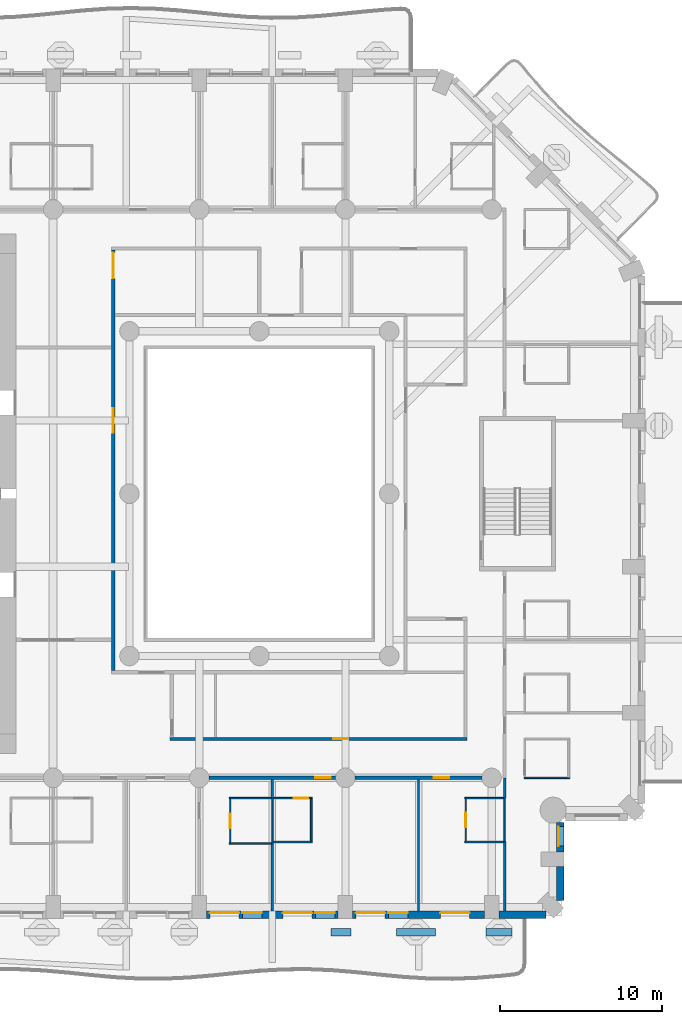
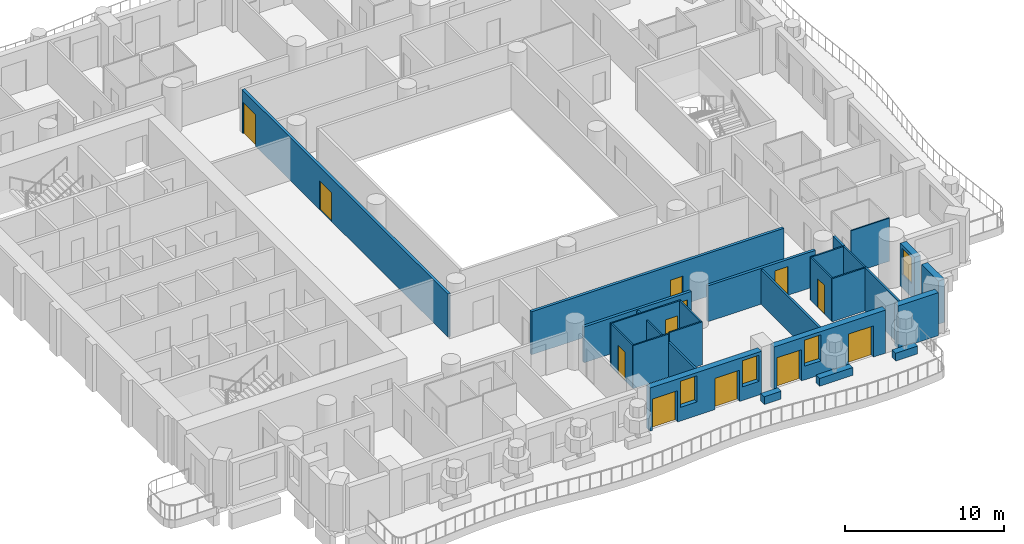
# One storey, part 5 of 20: 28 walls, 12 doors, 4 windows, 16 openings.
"""IFC4 building model written with IfcOpenShell, lengths in metres."""

from ifc_helpers import new_model, si_unit, direction, frame, frame_2d, origin, place, context, subcontext, project, spatial, rectangle, extrude, material, layer, layer_set, type_object, element, fill, save


model = new_model("IFC4")

# Units and contexts
model_context = context("Model", 3, precision=1e-05, world=origin(), true_north=direction((0.0, 1.0)))
body_context = subcontext(model_context, "Body", "Model", "MODEL_VIEW")
ifc_project = project(units=[si_unit("LENGTHUNIT", "METRE"), si_unit("AREAUNIT", "SQUARE_METRE"), si_unit("VOLUMEUNIT", "CUBIC_METRE"), si_unit("PLANEANGLEUNIT", "RADIAN"), si_unit("MASSUNIT", "GRAM", prefix="KILO")], contexts=[model_context])

# Site, building, storey
site_placement = place(None, origin())
site = spatial("IfcSite", under=ifc_project, at=site_placement, CompositionType="ELEMENT")
building_placement = place(site_placement, origin())
building = spatial("IfcBuilding", under=site, at=building_placement, Name="Cypress Arch Tower", CompositionType="ELEMENT")
storey_placement = place(building_placement, frame((0.0, 0.0, 77.10009765625)))
storey = spatial("IfcBuildingStorey", under=building, at=storey_placement, Name="L13", CompositionType="ELEMENT", Elevation=77.10009765625)

# Walls
ifc_material_1 = material(Name="Concrete C40/50, waterproofed", Category="concrete")
ifc_layer_1 = layer(ifc_material_1, 0.449951171875)
ifc_layer_set_1 = layer_set([ifc_layer_1], Name="Balcony planter wall PW450")
wall_type_1 = type_object("IfcWallType", Name="Balcony planter wall PW450", PredefinedType="SOLIDWALL", material=ifc_layer_set_1)
wall_1_placement = place(storey_placement, frame((5.419921875, -27.0, 0.0), z_axis=(0.0, 0.0, 1.0), x_axis=(1.0, 0.0, 0.0)))
element("IfcWall", 1, at=wall_1_placement, inside=storey, type_object=wall_type_1, Name="Balcony planter wall L13-A03.5", PredefinedType="SOLIDWALL", context=body_context, shape_type="SweptSolid", body=[
    extrude(rectangle(XDim=1.22998046875, YDim=0.449951171875, at=frame_2d((0.614990234375, 0.0))), origin(), (0.0, 0.0, 1.0), 0.599853515625),
])
wall_2_placement = place(storey_placement, frame((9.429931640625, -27.0, 0.0), z_axis=(0.0, 0.0, 1.0), x_axis=(1.0, 0.0, 0.0)))
element("IfcWall", 2, at=wall_2_placement, inside=storey, type_object=wall_type_1, Name="Balcony planter wall L13-A03.6", PredefinedType="SOLIDWALL", context=body_context, shape_type="SweptSolid", body=[
    extrude(rectangle(XDim=2.420166015625, YDim=0.449951171875, at=frame_2d((1.2099609375, 0.0))), origin(), (0.0, 0.0, 1.0), 0.599853515625),
])
wall_3_placement = place(storey_placement, frame((14.949951171875, -27.0, 0.0), z_axis=(0.0, 0.0, 1.0), x_axis=(1.0, 0.0, 0.0)))
element("IfcWall", 3, at=wall_3_placement, inside=storey, type_object=wall_type_1, Name="Balcony planter wall L13-A03.7", PredefinedType="SOLIDWALL", context=body_context, shape_type="SweptSolid", body=[
    extrude(rectangle(XDim=1.60009765625, YDim=0.449951171875, at=frame_2d((0.800048828125, 0.0))), origin(), (0.0, 0.0, 1.0), 0.599853515625),
])

# Wall, openings, doors, windows
ifc_material_2 = material(Name="Brick (red buff blend)", Category="masonry")
ifc_layer_2 = layer(ifc_material_2, 0.449951171875)
ifc_layer_set_2 = layer_set([ifc_layer_2], Name="Brick pier and spandrel wall BW450")
wall_type_2 = type_object("IfcWallType", Name="Brick pier and spandrel wall BW450", PredefinedType="SOLIDWALL", material=ifc_layer_set_2)
wall_4_placement = place(storey_placement, frame((-2.25, -25.925048828125, 0.0), z_axis=(0.0, 0.0, 1.0), x_axis=(1.0, 0.0, 0.0)))
wall_4 = element("IfcWall", 4, at=wall_4_placement, inside=storey, type_object=wall_type_2, Name="Brick wall L13 A03.3", PredefinedType="SOLIDWALL", context=body_context, shape_type="SweptSolid", body=[
    extrude(rectangle(XDim=8.10009765625, YDim=0.449951171875, at=frame_2d((4.050048828125, 0.0))), origin(), (0.0, 0.0, 1.0), 3.2998046875),
])
opening_1_placement = place(wall_4_placement, frame((0.199951171875, 0.0, 0.0)))
opening_1 = element("IfcOpeningElement", 5, at=opening_1_placement, cuts=wall_4, Name="Opening D-L13-A03.3.1", PredefinedType="OPENING", context=body_context, shape_type="SweptSolid", body=[
    extrude(rectangle(XDim=1.800048828125, YDim=2.39990234375, at=frame_2d((0.89990234375, 1.199951171875))), frame((0.0, 0.23486328125, 0.0), z_axis=(0.0, -1.0, 0.0), x_axis=(1.0, 0.0, 0.0)), (0.0, 0.0, 1.0), 0.469970703125),
])
opening_2_placement = place(wall_4_placement, frame((2.199951171875, 0.0, 1.050048828125)))
opening_2 = element("IfcOpeningElement", 6, at=opening_2_placement, cuts=wall_4, Name="Opening W120HD", PredefinedType="OPENING", context=body_context, shape_type="SweptSolid", body=[
    extrude(rectangle(XDim=1.199951171875, YDim=2.0, at=frame_2d((0.60009765625, 1.0))), frame((0.0, 0.23486328125, 0.0), z_axis=(0.0, -1.0, 0.0), x_axis=(1.0, 0.0, 0.0)), (0.0, 0.0, 1.0), 0.469970703125),
])
opening_3_placement = place(wall_4_placement, frame((4.699951171875, 0.0, 0.0)))
opening_3 = element("IfcOpeningElement", 7, at=opening_3_placement, cuts=wall_4, Name="Opening D-L13-A03.3.2", PredefinedType="OPENING", context=body_context, shape_type="SweptSolid", body=[
    extrude(rectangle(XDim=1.800048828125, YDim=2.39990234375, at=frame_2d((0.89990234375, 1.199951171875))), frame((0.0, 0.23486328125, 0.0), z_axis=(0.0, -1.0, 0.0), x_axis=(1.0, 0.0, 0.0)), (0.0, 0.0, 1.0), 0.469970703125),
])
opening_4_placement = place(wall_4_placement, frame((6.699951171875, 0.0, 1.050048828125)))
opening_4 = element("IfcOpeningElement", 8, at=opening_4_placement, cuts=wall_4, Name="Opening W120HD", PredefinedType="OPENING", context=body_context, shape_type="SweptSolid", body=[
    extrude(rectangle(XDim=1.199951171875, YDim=2.0, at=frame_2d((0.60009765625, 1.0))), frame((0.0, 0.23486328125, 0.0), z_axis=(0.0, -1.0, 0.0), x_axis=(1.0, 0.0, 0.0)), (0.0, 0.0, 1.0), 0.469970703125),
])
ifc_material_3 = material(Name="Anodised aluminium, bronze finish, laminated low-emissivity double glazing, large-missile impact rated", Category="aluminium")
door_type_1 = type_object("IfcDoorType", Name="Balcony sliding door 1800x2400", OperationType="SLIDING_TO_LEFT", PredefinedType="DOOR", material=ifc_material_3)
door_1_placement = place(opening_1_placement, origin())
door_1 = element("IfcDoor", 9, at=door_1_placement, inside=storey, type_object=door_type_1, Name="Balcony door L13 A03.3.1", OperationType="SLIDING_TO_LEFT", OverallHeight=2.39990234375, OverallWidth=1.800048828125, PredefinedType="DOOR", context=body_context, shape_type="SweptSolid", body=[
    extrude(rectangle(XDim=1.800048828125, YDim=2.39990234375, at=frame_2d((0.89990234375, 1.199951171875))), frame((0.0, 0.1298828125, 0.0), z_axis=(0.0, -1.0, 0.0), x_axis=(1.0, 0.0, 0.0)), (0.0, 0.0, 1.0), 0.050048828125),
])
fill(opening_1, door_1)
door_2_placement = place(opening_3_placement, origin())
door_2 = element("IfcDoor", 10, at=door_2_placement, inside=storey, type_object=door_type_1, Name="Balcony door L13 A03.3.2", OperationType="SLIDING_TO_LEFT", OverallHeight=2.39990234375, OverallWidth=1.800048828125, PredefinedType="DOOR", context=body_context, shape_type="SweptSolid", body=[
    extrude(rectangle(XDim=1.800048828125, YDim=2.39990234375, at=frame_2d((0.89990234375, 1.199951171875))), frame((0.0, 0.1298828125, 0.0), z_axis=(0.0, -1.0, 0.0), x_axis=(1.0, 0.0, 0.0)), (0.0, 0.0, 1.0), 0.050048828125),
])
fill(opening_3, door_2)
ifc_material_4 = material(Name="Anodised aluminium, bronze finish, laminated low-emissivity double glazing, large-missile impact rated", Category="aluminium")
window_type_1 = type_object("IfcWindowType", Name="Window Hotel 1200x2000 debris-rated", PartitioningType="SINGLE_PANEL", PredefinedType="WINDOW", material=ifc_material_4)
window_1_placement = place(opening_2_placement, origin())
window_1 = element("IfcWindow", 11, at=window_1_placement, inside=storey, type_object=window_type_1, Name="Window L13 A03.3.1", OverallHeight=2.0, OverallWidth=1.199951171875, PartitioningType="SINGLE_PANEL", PredefinedType="WINDOW", context=body_context, shape_type="SweptSolid", body=[
    extrude(rectangle(XDim=1.199951171875, YDim=2.0, at=frame_2d((0.60009765625, 1.0))), frame((0.0, 0.135009765625, 0.0), z_axis=(0.0, -1.0, 0.0), x_axis=(1.0, 0.0, 0.0)), (0.0, 0.0, 1.0), 0.06005859375),
])
fill(opening_2, window_1)
window_2_placement = place(opening_4_placement, origin())
window_2 = element("IfcWindow", 12, at=window_2_placement, inside=storey, type_object=window_type_1, Name="Window L13 A03.3.2", OverallHeight=2.0, OverallWidth=1.199951171875, PartitioningType="SINGLE_PANEL", PredefinedType="WINDOW", context=body_context, shape_type="SweptSolid", body=[
    extrude(rectangle(XDim=1.199951171875, YDim=2.0, at=frame_2d((0.60009765625, 1.0))), frame((0.0, 0.135009765625, 0.0), z_axis=(0.0, -1.0, 0.0), x_axis=(1.0, 0.0, 0.0)), (0.0, 0.0, 1.0), 0.06005859375),
])
fill(opening_4, window_2)

# Wall, openings, doors, window
wall_5_placement = place(storey_placement, frame((6.75, -25.925048828125, 0.0), z_axis=(0.0, 0.0, 1.0), x_axis=(1.0, 0.0, 0.0)))
wall_5 = element("IfcWall", 13, at=wall_5_placement, inside=storey, type_object=wall_type_2, Name="Brick wall L13 A03.4", PredefinedType="SOLIDWALL", context=body_context, shape_type="SweptSolid", body=[
    extrude(rectangle(XDim=8.10009765625, YDim=0.449951171875, at=frame_2d((4.050048828125, 0.0))), origin(), (0.0, 0.0, 1.0), 3.2998046875),
])
opening_5_placement = place(wall_5_placement, frame((0.199951171875, 0.0, 0.0)))
opening_5 = element("IfcOpeningElement", 14, at=opening_5_placement, cuts=wall_5, Name="Opening D-L13-A03.4.1", PredefinedType="OPENING", context=body_context, shape_type="SweptSolid", body=[
    extrude(rectangle(XDim=1.800048828125, YDim=2.39990234375, at=frame_2d((0.89990234375, 1.199951171875))), frame((0.0, 0.23486328125, 0.0), z_axis=(0.0, -1.0, 0.0), x_axis=(1.0, 0.0, 0.0)), (0.0, 0.0, 1.0), 0.469970703125),
])
opening_6_placement = place(wall_5_placement, frame((2.199951171875, 0.0, 1.050048828125)))
opening_6 = element("IfcOpeningElement", 15, at=opening_6_placement, cuts=wall_5, Name="Opening W120HD", PredefinedType="OPENING", context=body_context, shape_type="SweptSolid", body=[
    extrude(rectangle(XDim=1.199951171875, YDim=2.0, at=frame_2d((0.60009765625, 1.0))), frame((0.0, 0.23486328125, 0.0), z_axis=(0.0, -1.0, 0.0), x_axis=(1.0, 0.0, 0.0)), (0.0, 0.0, 1.0), 0.469970703125),
])
opening_7_placement = place(wall_5_placement, frame((5.39990234375, 0.0, 0.0)))
opening_7 = element("IfcOpeningElement", 16, at=opening_7_placement, cuts=wall_5, Name="Opening D-L13-A03.4.2", PredefinedType="OPENING", context=body_context, shape_type="SweptSolid", body=[
    extrude(rectangle(XDim=1.800048828125, YDim=2.39990234375, at=frame_2d((0.89990234375, 1.199951171875))), frame((0.0, 0.23486328125, 0.0), z_axis=(0.0, -1.0, 0.0), x_axis=(1.0, 0.0, 0.0)), (0.0, 0.0, 1.0), 0.469970703125),
])
door_3_placement = place(opening_5_placement, origin())
door_3 = element("IfcDoor", 17, at=door_3_placement, inside=storey, type_object=door_type_1, Name="Balcony door L13 A03.4.1", OperationType="SLIDING_TO_LEFT", OverallHeight=2.39990234375, OverallWidth=1.800048828125, PredefinedType="DOOR", context=body_context, shape_type="SweptSolid", body=[
    extrude(rectangle(XDim=1.800048828125, YDim=2.39990234375, at=frame_2d((0.89990234375, 1.199951171875))), frame((0.0, 0.1298828125, 0.0), z_axis=(0.0, -1.0, 0.0), x_axis=(1.0, 0.0, 0.0)), (0.0, 0.0, 1.0), 0.050048828125),
])
fill(opening_5, door_3)
door_4_placement = place(opening_7_placement, origin())
door_4 = element("IfcDoor", 18, at=door_4_placement, inside=storey, type_object=door_type_1, Name="Balcony door L13 A03.4.2", OperationType="SLIDING_TO_LEFT", OverallHeight=2.39990234375, OverallWidth=1.800048828125, PredefinedType="DOOR", context=body_context, shape_type="SweptSolid", body=[
    extrude(rectangle(XDim=1.800048828125, YDim=2.39990234375, at=frame_2d((0.89990234375, 1.199951171875))), frame((0.0, 0.1298828125, 0.0), z_axis=(0.0, -1.0, 0.0), x_axis=(1.0, 0.0, 0.0)), (0.0, 0.0, 1.0), 0.050048828125),
])
fill(opening_7, door_4)
window_3_placement = place(opening_6_placement, origin())
window_3 = element("IfcWindow", 19, at=window_3_placement, inside=storey, type_object=window_type_1, Name="Window L13 A03.4.1", OverallHeight=2.0, OverallWidth=1.199951171875, PartitioningType="SINGLE_PANEL", PredefinedType="WINDOW", context=body_context, shape_type="SweptSolid", body=[
    extrude(rectangle(XDim=1.199951171875, YDim=2.0, at=frame_2d((0.60009765625, 1.0))), frame((0.0, 0.135009765625, 0.0), z_axis=(0.0, -1.0, 0.0), x_axis=(1.0, 0.0, 0.0)), (0.0, 0.0, 1.0), 0.06005859375),
])
fill(opening_6, window_3)

# Walls
wall_6_placement = place(storey_placement, frame((15.75, -25.925048828125, 0.0), z_axis=(0.0, 0.0, 1.0), x_axis=(1.0, 0.0, 0.0)))
element("IfcWall", 20, at=wall_6_placement, inside=storey, type_object=wall_type_2, Name="Brick wall L13 A03.5", PredefinedType="SOLIDWALL", context=body_context, shape_type="SweptSolid", body=[
    extrude(rectangle(XDim=2.91357421875, YDim=0.449951171875, at=frame_2d((1.456787109375, 0.0))), origin(), (0.0, 0.0, 1.0), 3.2998046875),
])
wall_7_placement = place(storey_placement, frame((19.52490234375, -25.063720703125, 0.0), z_axis=(0.0, 0.0, 1.0), x_axis=(0.0, 1.0, 0.0)))
element("IfcWall", 21, at=wall_7_placement, inside=storey, type_object=wall_type_2, Name="Brick wall L13 A04.0", PredefinedType="SOLIDWALL", context=body_context, shape_type="SweptSolid", body=[
    extrude(rectangle(XDim=2.11376953125, YDim=0.449951171875, at=frame_2d((1.056884765625, 0.0))), origin(), (0.0, 0.0, 1.0), 3.2998046875),
])

# Wall, opening, window
wall_8_placement = place(storey_placement, frame((19.52490234375, -22.050048828125, 0.0), z_axis=(0.0, 0.0, 1.0), x_axis=(0.0, 1.0, 0.0)))
wall_8 = element("IfcWall", 22, at=wall_8_placement, inside=storey, type_object=wall_type_2, Name="Brick wall L13 A04.1", PredefinedType="SOLIDWALL", context=body_context, shape_type="SweptSolid", body=[
    extrude(rectangle(XDim=1.79150390625, YDim=0.449951171875, at=frame_2d((0.895751953125, 0.0))), origin(), (0.0, 0.0, 1.0), 3.2998046875),
])
opening_8_placement = place(wall_8_placement, frame((0.35009765625, 0.0, 1.050048828125)))
opening_8 = element("IfcOpeningElement", 23, at=opening_8_placement, cuts=wall_8, Name="Opening W120H", PredefinedType="OPENING", context=body_context, shape_type="SweptSolid", body=[
    extrude(rectangle(XDim=1.199951171875, YDim=2.0, at=frame_2d((0.60009765625, 1.0))), frame((0.0, 0.23486328125, 0.0), z_axis=(0.0, -1.0, 0.0), x_axis=(1.0, 0.0, 0.0)), (0.0, 0.0, 1.0), 0.469970703125),
])
ifc_material_5 = material(Name="Anodised aluminium, bronze finish, clear low-emissivity double glazing", Category="aluminium")
window_type_2 = type_object("IfcWindowType", Name="Window Hotel 1200x2000", PartitioningType="SINGLE_PANEL", PredefinedType="WINDOW", material=ifc_material_5)
window_4_placement = place(opening_8_placement, origin())
window_4 = element("IfcWindow", 24, at=window_4_placement, inside=storey, type_object=window_type_2, Name="Window L13 A04.1.1", OverallHeight=2.0, OverallWidth=1.199951171875, PartitioningType="SINGLE_PANEL", PredefinedType="WINDOW", context=body_context, shape_type="SweptSolid", body=[
    extrude(rectangle(XDim=1.199951171875, YDim=2.0, at=frame_2d((0.60009765625, 1.0))), frame((0.0, 0.135009765625, 0.0), z_axis=(0.0, -1.0, 0.0), x_axis=(1.0, 0.0, 0.0)), (0.0, 0.0, 1.0), 0.06005859375),
])
fill(opening_8, window_4)

# Wall, opening, door
ifc_material_6 = material(Name="Concrete blockwork, plastered, rated", Category="masonry")
ifc_layer_3 = layer(ifc_material_6, 0.199951171875)
ifc_layer_set_3 = layer_set([ifc_layer_3], Name="Corridor wall FW200")
wall_type_3 = type_object("IfcWallType", Name="Corridor wall FW200", PredefinedType="PARTITIONING", material=ifc_layer_set_3)
wall_9_placement = place(storey_placement, frame((-2.10009765625, -17.5, 0.0), z_axis=(0.0, 0.0, 1.0), x_axis=(1.0, 0.0, 0.0)))
wall_9 = element("IfcWall", 25, at=wall_9_placement, inside=storey, type_object=wall_type_3, Name="Corridor wall", PredefinedType="PARTITIONING", context=body_context, shape_type="SweptSolid", body=[
    extrude(rectangle(XDim=7.800048828125, YDim=0.199951171875, at=frame_2d((3.89990234375, 0.0))), origin(), (0.0, 0.0, 1.0), 2.75),
])
opening_9_placement = place(wall_9_placement, frame((6.550048828125, 0.0, 0.0)))
opening_9 = element("IfcOpeningElement", 26, at=opening_9_placement, cuts=wall_9, Name="Opening D02", PredefinedType="OPENING", context=body_context, shape_type="SweptSolid", body=[
    extrude(rectangle(XDim=0.949951171875, YDim=2.199951171875, at=frame_2d((0.47509765625, 1.10009765625))), frame((0.0, 0.10986328125, 0.0), z_axis=(0.0, -1.0, 0.0), x_axis=(1.0, 0.0, 0.0)), (0.0, 0.0, 1.0), 0.219970703125),
])
ifc_material_7 = material(Name="Timber flush door, fire resisting", Category="wood")
door_type_2 = type_object("IfcDoorType", Name="Room door D02 950x2200", OperationType="SINGLE_SWING_LEFT", PredefinedType="DOOR", material=ifc_material_7)
door_5_placement = place(opening_9_placement, origin())
door_5 = element("IfcDoor", 27, at=door_5_placement, inside=storey, type_object=door_type_2, Name="Room door", OperationType="SINGLE_SWING_LEFT", OverallHeight=2.199951171875, OverallWidth=0.949951171875, PredefinedType="DOOR", context=body_context, shape_type="SweptSolid", body=[
    extrude(rectangle(XDim=0.949951171875, YDim=2.199951171875, at=frame_2d((0.47509765625, 1.10009765625))), frame((0.0, 0.02490234375, 0.0), z_axis=(0.0, -1.0, 0.0), x_axis=(1.0, 0.0, 0.0)), (0.0, 0.0, 1.0), 0.050048828125),
])
fill(opening_9, door_5)

wall_10_placement = place(storey_placement, frame((6.89990234375, -17.5, 0.0), z_axis=(0.0, 0.0, 1.0), x_axis=(1.0, 0.0, 0.0)))
wall_10 = element("IfcWall", 28, at=wall_10_placement, inside=storey, type_object=wall_type_3, Name="Corridor wall", PredefinedType="PARTITIONING", context=body_context, shape_type="SweptSolid", body=[
    extrude(rectangle(XDim=7.800048828125, YDim=0.199951171875, at=frame_2d((3.89990234375, 0.0))), origin(), (0.0, 0.0, 1.0), 2.75),
])
opening_10_placement = place(wall_10_placement, frame((4.85009765625, 0.0, 0.0)))
opening_10 = element("IfcOpeningElement", 29, at=opening_10_placement, cuts=wall_10, Name="Opening D02", PredefinedType="OPENING", context=body_context, shape_type="SweptSolid", body=[
    extrude(rectangle(XDim=0.949951171875, YDim=2.199951171875, at=frame_2d((0.47509765625, 1.10009765625))), frame((0.0, 0.10986328125, 0.0), z_axis=(0.0, -1.0, 0.0), x_axis=(1.0, 0.0, 0.0)), (0.0, 0.0, 1.0), 0.219970703125),
])
door_6_placement = place(opening_10_placement, origin())
door_6 = element("IfcDoor", 30, at=door_6_placement, inside=storey, type_object=door_type_2, Name="Room door", OperationType="SINGLE_SWING_RIGHT", OverallHeight=2.199951171875, OverallWidth=0.949951171875, PredefinedType="DOOR", context=body_context, shape_type="SweptSolid", body=[
    extrude(rectangle(XDim=0.949951171875, YDim=2.199951171875, at=frame_2d((0.47509765625, 1.10009765625))), frame((0.0, 0.02490234375, 0.0), z_axis=(0.0, -1.0, 0.0), x_axis=(1.0, 0.0, 0.0)), (0.0, 0.0, 1.0), 0.050048828125),
])
fill(opening_10, door_6)

# Wall, openings, doors
wall_11_placement = place(storey_placement, frame((-8.0, -10.89990234375, 0.0), z_axis=(0.0, 0.0, 1.0), x_axis=(0.0, 1.0, 0.0)))
wall_11 = element("IfcWall", 31, at=wall_11_placement, inside=storey, type_object=wall_type_3, Name="Corridor wall", PredefinedType="PARTITIONING", context=body_context, shape_type="SweptSolid", body=[
    extrude(rectangle(XDim=25.89990234375, YDim=0.199951171875, at=frame_2d((12.949951171875, 0.0))), origin(), (0.0, 0.0, 1.0), 3.2998046875),
])
opening_11_placement = place(wall_11_placement, frame((14.64990234375, 0.0, 0.0)))
opening_11 = element("IfcOpeningElement", 32, at=opening_11_placement, cuts=wall_11, Name="Opening D04", PredefinedType="OPENING", context=body_context, shape_type="SweptSolid", body=[
    extrude(rectangle(XDim=1.5, YDim=2.199951171875, at=frame_2d((0.75, 1.10009765625))), frame((0.0, 0.10986328125, 0.0), z_axis=(0.0, -1.0, 0.0), x_axis=(1.0, 0.0, 0.0)), (0.0, 0.0, 1.0), 0.219970703125),
])
opening_12_placement = place(wall_11_placement, frame((24.14990234375, 0.0, 0.0)))
opening_12 = element("IfcOpeningElement", 33, at=opening_12_placement, cuts=wall_11, Name="Opening D10", PredefinedType="OPENING", context=body_context, shape_type="SweptSolid", body=[
    extrude(rectangle(XDim=1.60009765625, YDim=2.39990234375, at=frame_2d((0.800048828125, 1.199951171875))), frame((0.0, 0.10986328125, 0.0), z_axis=(0.0, -1.0, 0.0), x_axis=(1.0, 0.0, 0.0)), (0.0, 0.0, 1.0), 0.219970703125),
])
ifc_material_8 = material(Name="Black aluminium glazed door", Category="aluminium")
door_type_3 = type_object("IfcDoorType", Name="Amenity door D10 1600x2400", OperationType="DOUBLE_DOOR_SINGLE_SWING", PredefinedType="DOOR", material=ifc_material_8)
door_7_placement = place(opening_12_placement, origin())
door_7 = element("IfcDoor", 34, at=door_7_placement, inside=storey, type_object=door_type_3, Name="Amenity door", OperationType="DOUBLE_DOOR_SINGLE_SWING", OverallHeight=2.39990234375, OverallWidth=1.60009765625, PredefinedType="DOOR", context=body_context, shape_type="SweptSolid", body=[
    extrude(rectangle(XDim=1.60009765625, YDim=2.39990234375, at=frame_2d((0.800048828125, 1.199951171875))), frame((0.0, 0.02490234375, 0.0), z_axis=(0.0, -1.0, 0.0), x_axis=(1.0, 0.0, 0.0)), (0.0, 0.0, 1.0), 0.050048828125),
])
fill(opening_12, door_7)
ifc_material_9 = material(Name="Timber double door", Category="wood")
door_type_4 = type_object("IfcDoorType", Name="Double door D04 1500x2200", OperationType="DOUBLE_DOOR_SINGLE_SWING", PredefinedType="DOOR", material=ifc_material_9)
door_8_placement = place(opening_11_placement, origin())
door_8 = element("IfcDoor", 35, at=door_8_placement, inside=storey, type_object=door_type_4, Name="Double door", OperationType="DOUBLE_DOOR_SINGLE_SWING", OverallHeight=2.199951171875, OverallWidth=1.5, PredefinedType="DOOR", context=body_context, shape_type="SweptSolid", body=[
    extrude(rectangle(XDim=1.5, YDim=2.199951171875, at=frame_2d((0.75, 1.10009765625))), frame((0.0, 0.02490234375, 0.0), z_axis=(0.0, -1.0, 0.0), x_axis=(1.0, 0.0, 0.0)), (0.0, 0.0, 1.0), 0.050048828125),
])
fill(opening_11, door_8)

# Wall, opening, door
wall_12_placement = place(storey_placement, frame((-4.5, -15.10009765625, 0.0), z_axis=(0.0, 0.0, 1.0), x_axis=(1.0, 0.0, 0.0)))
wall_12 = element("IfcWall", 36, at=wall_12_placement, inside=storey, type_object=wall_type_3, Name="Corridor wall", PredefinedType="PARTITIONING", context=body_context, shape_type="SweptSolid", body=[
    extrude(rectangle(XDim=18.300048828125, YDim=0.199951171875, at=frame_2d((9.14990234375, 0.0))), origin(), (0.0, 0.0, 1.0), 3.2998046875),
])
opening_13_placement = place(wall_12_placement, frame((10.050048828125, 0.0, 0.0)))
opening_13 = element("IfcOpeningElement", 37, at=opening_13_placement, cuts=wall_12, Name="Opening D05", PredefinedType="OPENING", context=body_context, shape_type="SweptSolid", body=[
    extrude(rectangle(XDim=0.89990234375, YDim=2.199951171875, at=frame_2d((0.449951171875, 1.10009765625))), frame((0.0, 0.10986328125, 0.0), z_axis=(0.0, -1.0, 0.0), x_axis=(1.0, 0.0, 0.0)), (0.0, 0.0, 1.0), 0.219970703125),
])
ifc_material_10 = material(Name="Timber flush door", Category="wood")
door_type_5 = type_object("IfcDoorType", Name="Service door D05 900x2200", OperationType="SINGLE_SWING_LEFT", PredefinedType="DOOR", material=ifc_material_10)
door_9_placement = place(opening_13_placement, origin())
door_9 = element("IfcDoor", 38, at=door_9_placement, inside=storey, type_object=door_type_5, Name="Service door", OperationType="SINGLE_SWING_RIGHT", OverallHeight=2.199951171875, OverallWidth=0.89990234375, PredefinedType="DOOR", context=body_context, shape_type="SweptSolid", body=[
    extrude(rectangle(XDim=0.89990234375, YDim=2.199951171875, at=frame_2d((0.449951171875, 1.10009765625))), frame((0.0, 0.02490234375, 0.0), z_axis=(0.0, -1.0, 0.0), x_axis=(1.0, 0.0, 0.0)), (0.0, 0.0, 1.0), 0.050048828125),
])
fill(opening_13, door_9)

# Walls
ifc_material_11 = material(Name="Blockwork, plastered both sides", Category="masonry")
ifc_layer_4 = layer(ifc_material_11, 0.14990234375)
ifc_layer_set_4 = layer_set([ifc_layer_4], Name="Partition PW150")
wall_type_4 = type_object("IfcWallType", Name="Partition PW150", PredefinedType="PARTITIONING", material=ifc_layer_set_4)
wall_13_placement = place(storey_placement, frame((1.800048828125, -25.699951171875, 0.0), z_axis=(0.0, 0.0, 1.0), x_axis=(0.0, 1.0, 0.0)))
element("IfcWall", 39, at=wall_13_placement, inside=storey, type_object=wall_type_4, Name="Partition", PredefinedType="PARTITIONING", context=body_context, shape_type="SweptSolid", body=[
    extrude(rectangle(XDim=4.14990234375, YDim=0.14990234375, at=frame_2d((2.074951171875, 0.0))), origin(), (0.0, 0.0, 1.0), 2.64990234375),
])
wall_14_placement = place(storey_placement, frame((1.800048828125, -18.72998046875, 0.0), z_axis=(0.0, 0.0, 1.0), x_axis=(0.0, 1.0, 0.0)))
element("IfcWall", 40, at=wall_14_placement, inside=storey, type_object=wall_type_4, Name="Partition", PredefinedType="PARTITIONING", context=body_context, shape_type="SweptSolid", body=[
    extrude(rectangle(XDim=1.1298828125, YDim=0.14990234375, at=frame_2d((0.56494140625, 0.0))), origin(), (0.0, 0.0, 1.0), 2.64990234375),
])
wall_15_placement = place(storey_placement, frame((10.800048828125, -25.699951171875, 0.0), z_axis=(0.0, 0.0, 1.0), x_axis=(0.0, 1.0, 0.0)))
element("IfcWall", 41, at=wall_15_placement, inside=storey, type_object=wall_type_4, Name="Partition", PredefinedType="PARTITIONING", context=body_context, shape_type="SweptSolid", body=[
    extrude(rectangle(XDim=8.099853515625, YDim=0.14990234375, at=frame_2d((4.0498046875, 0.0))), origin(), (0.0, 0.0, 1.0), 2.64990234375),
])
wall_16_placement = place(storey_placement, frame((16.10009765625, -25.699951171875, 0.0), z_axis=(0.0, 0.0, 1.0), x_axis=(0.0, 1.0, 0.0)))
element("IfcWall", 42, at=wall_16_placement, inside=storey, type_object=wall_type_4, Name="Partition", PredefinedType="PARTITIONING", context=body_context, shape_type="SweptSolid", body=[
    extrude(rectangle(XDim=4.27001953125, YDim=0.14990234375, at=frame_2d((2.135009765625, 0.0))), origin(), (0.0, 0.0, 1.0), 3.2998046875),
])
wall_17_placement = place(storey_placement, frame((16.10009765625, -18.72998046875, 0.0), z_axis=(0.0, 0.0, 1.0), x_axis=(0.0, 1.0, 0.0)))
element("IfcWall", 43, at=wall_17_placement, inside=storey, type_object=wall_type_4, Name="Partition", PredefinedType="PARTITIONING", context=body_context, shape_type="SweptSolid", body=[
    extrude(rectangle(XDim=1.22998046875, YDim=0.14990234375, at=frame_2d((0.614990234375, 0.0))), origin(), (0.0, 0.0, 1.0), 3.2998046875),
])

# Wall, opening, door
ifc_material_12 = material(Name="Moisture resistant board on steel studs, tiled", Category="steel")
ifc_layer_5 = layer(ifc_material_12, 0.10009765625)
ifc_layer_set_5 = layer_set([ifc_layer_5], Name="Wet wall PW100")
wall_type_5 = type_object("IfcWallType", Name="Wet wall PW100", PredefinedType="PARTITIONING", material=ifc_layer_set_5)
wall_18_placement = place(storey_placement, frame((-0.7958984375, -21.5, 0.0), z_axis=(0.0, 0.0, 1.0), x_axis=(0.0, 1.0, 0.0)))
wall_18 = element("IfcWall", 44, at=wall_18_placement, inside=storey, type_object=wall_type_5, Name="Wet wall", PredefinedType="PARTITIONING", context=body_context, shape_type="SweptSolid", body=[
    extrude(rectangle(XDim=2.699951171875, YDim=0.10009765625, at=frame_2d((1.35009765625, 0.0))), origin(), (0.0, 0.0, 1.0), 3.2998046875),
])
opening_14_placement = place(wall_18_placement, frame((0.89990234375, 0.0, 0.0)))
opening_14 = element("IfcOpeningElement", 45, at=opening_14_placement, cuts=wall_18, Name="Opening D03", PredefinedType="OPENING", context=body_context, shape_type="SweptSolid", body=[
    extrude(rectangle(XDim=0.89990234375, YDim=2.199951171875, at=frame_2d((0.449951171875, 1.10009765625))), frame((0.0, 0.06005859375, 0.0), z_axis=(0.0, -1.0, 0.0), x_axis=(1.0, 0.0, 0.0)), (0.0, 0.0, 1.0), 0.1201171875),
])
ifc_material_13 = material(Name="Timber flush door, moisture resistant", Category="wood")
door_type_6 = type_object("IfcDoorType", Name="Bathroom door D03 900x2200", OperationType="SINGLE_SWING_LEFT", PredefinedType="DOOR", material=ifc_material_13)
door_10_placement = place(opening_14_placement, origin())
door_10 = element("IfcDoor", 46, at=door_10_placement, inside=storey, type_object=door_type_6, Name="Bathroom door", OperationType="SINGLE_SWING_LEFT", OverallHeight=2.199951171875, OverallWidth=0.89990234375, PredefinedType="DOOR", context=body_context, shape_type="SweptSolid", body=[
    extrude(rectangle(XDim=0.89990234375, YDim=2.199951171875, at=frame_2d((0.449951171875, 1.10009765625))), frame((0.0, 0.02490234375, 0.0), z_axis=(0.0, -1.0, 0.0), x_axis=(1.0, 0.0, 0.0)), (0.0, 0.0, 1.0), 0.050048828125),
])
fill(opening_14, door_10)

# Wall
wall_19_placement = place(storey_placement, frame((-0.845947265625, -21.550048828125, 0.0), z_axis=(0.0, 0.0, 1.0), x_axis=(1.0, 0.0, 0.0)))
element("IfcWall", 47, at=wall_19_placement, inside=storey, type_object=wall_type_5, Name="Wet wall", PredefinedType="PARTITIONING", context=body_context, shape_type="SweptSolid", body=[
    extrude(rectangle(XDim=2.571044921875, YDim=0.10009765625, at=frame_2d((1.28564453125, 0.0))), origin(), (0.0, 0.0, 1.0), 3.2998046875),
])

# Wall, opening, door
wall_20_placement = place(storey_placement, frame((-0.845947265625, -18.75, 0.0), z_axis=(0.0, 0.0, 1.0), x_axis=(1.0, 0.0, 0.0)))
wall_20 = element("IfcWall", 48, at=wall_20_placement, inside=storey, type_object=wall_type_5, Name="Wet wall", PredefinedType="PARTITIONING", context=body_context, shape_type="SweptSolid", body=[
    extrude(rectangle(XDim=5.092041015625, YDim=0.10009765625, at=frame_2d((2.5458984375, 0.0))), origin(), (0.0, 0.0, 1.0), 3.2998046875),
])
opening_15_placement = place(wall_20_placement, frame((3.949951171875, 0.0, 0.0)))
opening_15 = element("IfcOpeningElement", 49, at=opening_15_placement, cuts=wall_20, Name="Opening D03", PredefinedType="OPENING", context=body_context, shape_type="SweptSolid", body=[
    extrude(rectangle(XDim=0.89990234375, YDim=2.199951171875, at=frame_2d((0.449951171875, 1.10009765625))), frame((0.0, 0.06005859375, 0.0), z_axis=(0.0, -1.0, 0.0), x_axis=(1.0, 0.0, 0.0)), (0.0, 0.0, 1.0), 0.1201171875),
])
door_11_placement = place(opening_15_placement, origin())
door_11 = element("IfcDoor", 50, at=door_11_placement, inside=storey, type_object=door_type_6, Name="Bathroom door", OperationType="SINGLE_SWING_LEFT", OverallHeight=2.199951171875, OverallWidth=0.89990234375, PredefinedType="DOOR", context=body_context, shape_type="SweptSolid", body=[
    extrude(rectangle(XDim=0.89990234375, YDim=2.199951171875, at=frame_2d((0.449951171875, 1.10009765625))), frame((0.0, 0.02490234375, 0.0), z_axis=(0.0, -1.0, 0.0), x_axis=(1.0, 0.0, 0.0)), (0.0, 0.0, 1.0), 0.050048828125),
])
fill(opening_15, door_11)

# Walls
wall_21_placement = place(storey_placement, frame((1.800048828125, -21.550048828125, 0.0), z_axis=(0.0, 0.0, 1.0), x_axis=(0.0, 1.0, 0.0)))
element("IfcWall", 51, at=wall_21_placement, inside=storey, type_object=wall_type_5, Name="Wet wall", PredefinedType="PARTITIONING", context=body_context, shape_type="SweptSolid", body=[
    extrude(rectangle(XDim=2.820068359375, YDim=0.10009765625, at=frame_2d((1.41015625, 0.0))), origin(), (0.0, 0.0, 1.0), 2.64990234375),
])
wall_22_placement = place(storey_placement, frame((1.85009765625, -21.449951171875, 0.0), z_axis=(0.0, 0.0, 1.0), x_axis=(1.0, 0.0, 0.0)))
element("IfcWall", 52, at=wall_22_placement, inside=storey, type_object=wall_type_5, Name="Wet wall", PredefinedType="PARTITIONING", context=body_context, shape_type="SweptSolid", body=[
    extrude(rectangle(XDim=2.39599609375, YDim=0.10009765625, at=frame_2d((1.197998046875, 0.0))), origin(), (0.0, 0.0, 1.0), 3.2998046875),
])
wall_23_placement = place(storey_placement, frame((4.196044921875, -21.39990234375, 0.0), z_axis=(0.0, 0.0, 1.0), x_axis=(0.0, 1.0, 0.0)))
element("IfcWall", 53, at=wall_23_placement, inside=storey, type_object=wall_type_5, Name="Wet wall", PredefinedType="PARTITIONING", context=body_context, shape_type="SweptSolid", body=[
    extrude(rectangle(XDim=2.599853515625, YDim=0.10009765625, at=frame_2d((1.2998046875, 0.0))), origin(), (0.0, 0.0, 1.0), 3.2998046875),
])

# Wall, opening, door
wall_24_placement = place(storey_placement, frame((13.699951171875, -21.39990234375, 0.0), z_axis=(0.0, 0.0, 1.0), x_axis=(0.0, 1.0, 0.0)))
wall_24 = element("IfcWall", 54, at=wall_24_placement, inside=storey, type_object=wall_type_5, Name="Wet wall", PredefinedType="PARTITIONING", context=body_context, shape_type="SweptSolid", body=[
    extrude(rectangle(XDim=2.599853515625, YDim=0.10009765625, at=frame_2d((1.2998046875, 0.0))), origin(), (0.0, 0.0, 1.0), 3.2998046875),
])
opening_16_placement = place(wall_24_placement, frame((0.85009765625, 0.0, 0.0)))
opening_16 = element("IfcOpeningElement", 55, at=opening_16_placement, cuts=wall_24, Name="Opening D03", PredefinedType="OPENING", context=body_context, shape_type="SweptSolid", body=[
    extrude(rectangle(XDim=0.89990234375, YDim=2.199951171875, at=frame_2d((0.449951171875, 1.10009765625))), frame((0.0, 0.06005859375, 0.0), z_axis=(0.0, -1.0, 0.0), x_axis=(1.0, 0.0, 0.0)), (0.0, 0.0, 1.0), 0.1201171875),
])
door_12_placement = place(opening_16_placement, origin())
door_12 = element("IfcDoor", 56, at=door_12_placement, inside=storey, type_object=door_type_6, Name="Bathroom door", OperationType="SINGLE_SWING_LEFT", OverallHeight=2.199951171875, OverallWidth=0.89990234375, PredefinedType="DOOR", context=body_context, shape_type="SweptSolid", body=[
    extrude(rectangle(XDim=0.89990234375, YDim=2.199951171875, at=frame_2d((0.449951171875, 1.10009765625))), frame((0.0, 0.02490234375, 0.0), z_axis=(0.0, -1.0, 0.0), x_axis=(1.0, 0.0, 0.0)), (0.0, 0.0, 1.0), 0.050048828125),
])
fill(opening_16, door_12)

# Walls
for number, where, z_axis, x_axis, name in (
    (57, (13.64990234375, -21.449951171875, 0.0), (0.0, 0.0, 1.0), (1.0, 0.0, 0.0), "Wet wall"),
    (58, (13.64990234375, -18.75, 0.0), (0.0, 0.0, 1.0), (1.0, 0.0, 0.0), "Wet wall"),
):
    element("IfcWall", number, at=place(storey_placement, frame(where, z_axis=z_axis, x_axis=x_axis)), inside=storey, type_object=wall_type_5, Name=name, PredefinedType="PARTITIONING", context=body_context, shape_type="SweptSolid", body=[
        extrude(rectangle(XDim=2.375, YDim=0.10009765625, at=frame_2d((1.1875, 0.0))), origin(), (0.0, 0.0, 1.0), 3.2998046875),
    ])
wall_25_placement = place(storey_placement, frame((16.10009765625, -21.429931640625, 0.0), z_axis=(0.0, 0.0, 1.0), x_axis=(0.0, 1.0, 0.0)))
element("IfcWall", 59, at=wall_25_placement, inside=storey, type_object=wall_type_5, Name="Wet wall", PredefinedType="PARTITIONING", context=body_context, shape_type="SweptSolid", body=[
    extrude(rectangle(XDim=2.699951171875, YDim=0.10009765625, at=frame_2d((1.35009765625, 0.0))), origin(), (0.0, 0.0, 1.0), 3.2998046875),
])
wall_26_placement = place(storey_placement, frame((17.300048828125, -17.5, 0.0), z_axis=(0.0, 0.0, 1.0), x_axis=(1.0, 0.0, 0.0)))
element("IfcWall", 60, at=wall_26_placement, inside=storey, type_object=wall_type_5, Name="Wet wall", PredefinedType="PARTITIONING", context=body_context, shape_type="SweptSolid", body=[
    extrude(rectangle(XDim=2.800048828125, YDim=0.10009765625, at=frame_2d((1.39990234375, 0.0))), origin(), (0.0, 0.0, 1.0), 3.2998046875),
])

save(model, "model.ifc")
